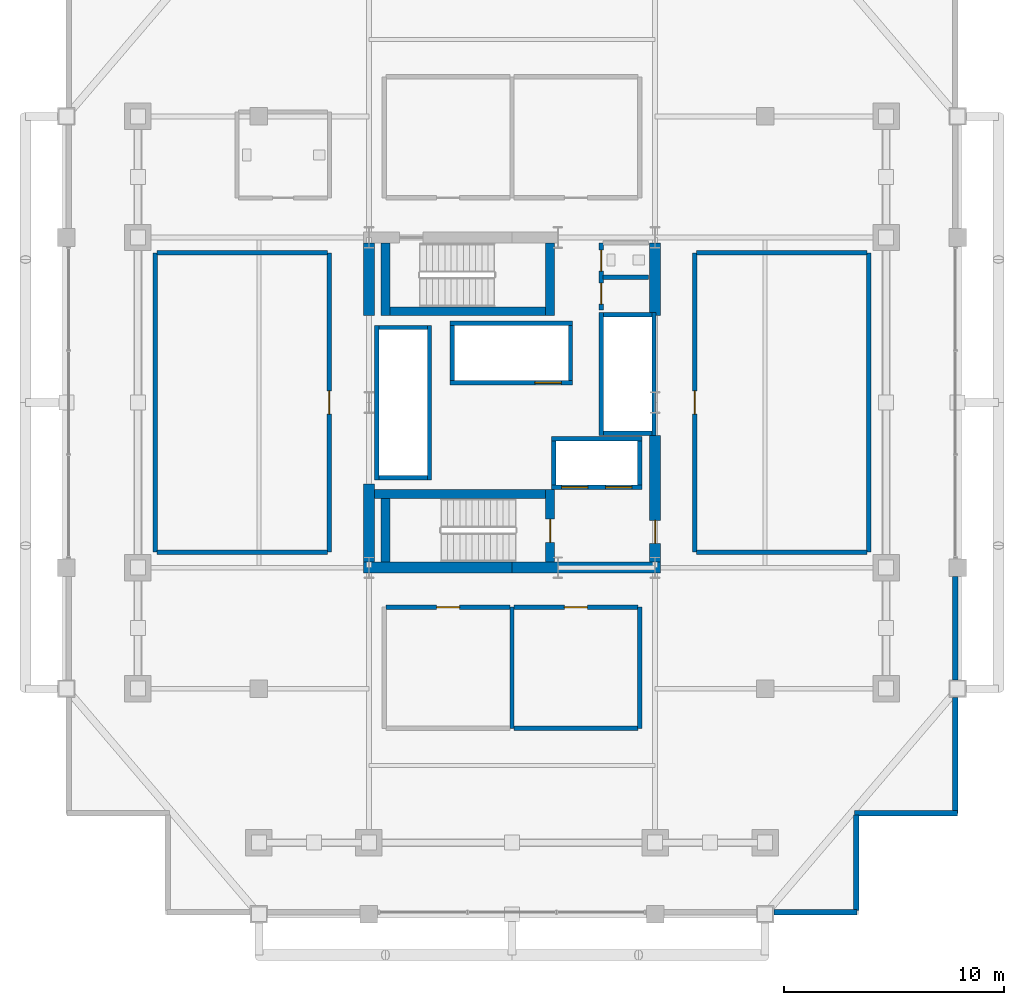
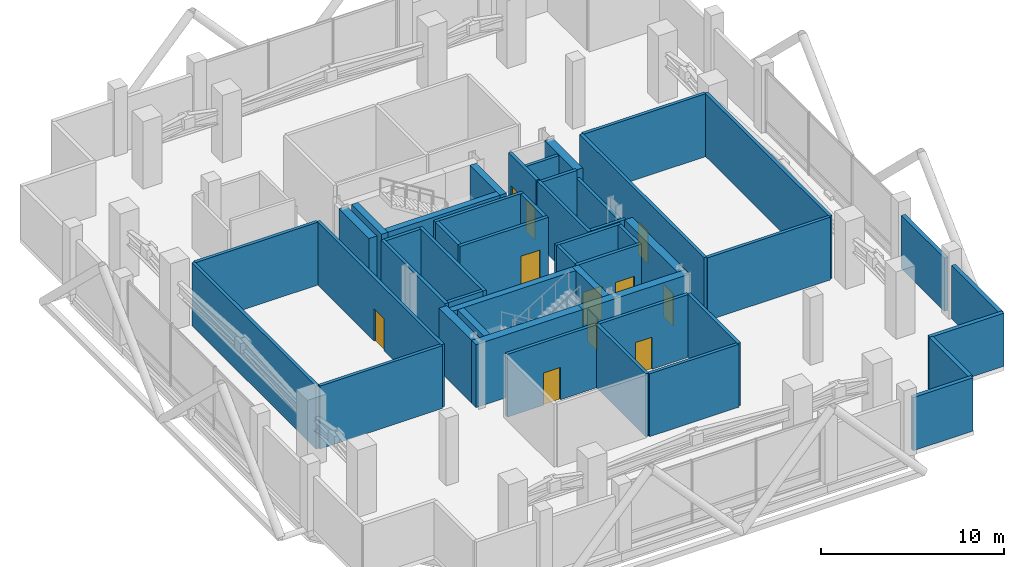
# One storey, part 19 of 22: 48 walls, 11 doors, 11 openings.
"""IFC4 building model written with IfcOpenShell, lengths in metres."""

from ifc_helpers import new_model, si_unit, direction, frame, frame_2d, origin, place, context, subcontext, project, spatial, rectangle, extrude, material, layer, layer_set, type_object, element, fill, save


model = new_model("IFC4")

# Units and contexts
model_context = context("Model", 3, precision=1e-05, world=origin(), true_north=direction((0.0, 1.0)))
body_context = subcontext(model_context, "Body", "Model", "MODEL_VIEW")
ifc_project = project(units=[si_unit("LENGTHUNIT", "METRE"), si_unit("AREAUNIT", "SQUARE_METRE"), si_unit("VOLUMEUNIT", "CUBIC_METRE"), si_unit("PLANEANGLEUNIT", "RADIAN"), si_unit("MASSUNIT", "GRAM", prefix="KILO")], contexts=[model_context])

# Site, building, storey
site_placement = place(None, origin())
site = spatial("IfcSite", under=ifc_project, at=site_placement, CompositionType="ELEMENT")
building_placement = place(site_placement, origin())
building = spatial("IfcBuilding", under=site, at=building_placement, Name="Barlavira Tower and Art Museum", CompositionType="ELEMENT")
storey_placement = place(building_placement, frame((0.0, 0.0, 120.60009765625)))
storey = spatial("IfcBuildingStorey", under=building, at=storey_placement, Name="L30", CompositionType="ELEMENT", Elevation=120.60009765625)

# Walls
ifc_material_1 = material(Name="Concrete C60", Category="concrete")
ifc_layer_1 = layer(ifc_material_1, 0.5, Name="Concrete C60")
ifc_layer_set_1 = layer_set([ifc_layer_1], Name="Concrete C60")
wall_type_1 = type_object("IfcWallType", Name="Core Structural Shear Wall 500 Concrete C60", PredefinedType="SHEAR", material=ifc_layer_set_1)
for number, where, z_axis, x_axis, name in (
    (1, (-6.75, -7.5, 0.0), (0.0, 0.0, 1.0), (1.0, 0.0, 0.0), "L30 Core Shear Wall CS-SW"),
    (2, (0.0, -7.5, 0.0), (0.0, 0.0, 1.0), (1.0, 0.0, 0.0), "L30 Core Shear Wall CS-SE"),
):
    element("IfcWall", number, at=place(storey_placement, frame(where, z_axis=z_axis, x_axis=x_axis)), inside=storey, type_object=wall_type_1, Name=name, PredefinedType="SHEAR", context=body_context, shape_type="SweptSolid", body=[
        extrude(rectangle(XDim=6.75, YDim=0.5, at=frame_2d((3.375, 0.0))), origin(), (0.0, 0.0, 1.0), 4.199951171875),
    ])
wall_1_placement = place(storey_placement, frame((-6.5, -7.25, 0.0), z_axis=(0.0, 0.0, 1.0), x_axis=(0.0, 1.0, 0.0)))
element("IfcWall", 3, at=wall_1_placement, inside=storey, type_object=wall_type_1, Name="L30 Core Shear Wall CS-W1", PredefinedType="SHEAR", context=body_context, shape_type="SweptSolid", body=[
    extrude(rectangle(XDim=3.550048828125, YDim=0.5, at=frame_2d((1.77490234375, 0.0))), origin(), (0.0, 0.0, 1.0), 4.199951171875),
])
wall_2_placement = place(storey_placement, frame((-6.5, 3.949951171875, 0.0), z_axis=(0.0, 0.0, 1.0), x_axis=(0.0, 1.0, 0.0)))
element("IfcWall", 4, at=wall_2_placement, inside=storey, type_object=wall_type_1, Name="L30 Core Shear Wall CS-W2", PredefinedType="SHEAR", context=body_context, shape_type="SweptSolid", body=[
    extrude(rectangle(XDim=3.300048828125, YDim=0.5, at=frame_2d((1.64990234375, 0.0))), origin(), (0.0, 0.0, 1.0), 4.199951171875),
])

# Wall, opening, door
wall_3_placement = place(storey_placement, frame((6.5, -7.25, 0.0), z_axis=(0.0, 0.0, 1.0), x_axis=(0.0, 1.0, 0.0)))
wall_3 = element("IfcWall", 5, at=wall_3_placement, inside=storey, type_object=wall_type_1, Name="L30 Core Shear Wall CS-E1", PredefinedType="SHEAR", context=body_context, shape_type="SweptSolid", body=[
    extrude(rectangle(XDim=5.75, YDim=0.5, at=frame_2d((2.875, 0.0))), origin(), (0.0, 0.0, 1.0), 4.199951171875),
])
opening_1_placement = place(wall_3_placement, frame((0.85009765625, 0.0, 0.0)))
opening_1 = element("IfcOpeningElement", 6, at=opening_1_placement, cuts=wall_3, Name="Opening FD-90", PredefinedType="OPENING", context=body_context, shape_type="SweptSolid", body=[
    extrude(rectangle(XDim=1.050048828125, YDim=2.14990234375, at=frame_2d((0.52490234375, 1.074951171875))), frame((0.0, 0.260009765625, 0.0), z_axis=(0.0, -1.0, 0.0), x_axis=(1.0, 0.0, 0.0)), (0.0, 0.0, 1.0), 0.52001953125),
])
ifc_material_2 = material(Name="Brushed stainless steel", Category="steel")
door_type_1 = type_object("IfcDoorType", Name="Stair and Refuge Fire Door 1050x2150 FD90S", OperationType="NOTDEFINED", PredefinedType="DOOR", material=ifc_material_2)
door_1_placement = place(opening_1_placement, origin())
door_1 = element("IfcDoor", 7, at=door_1_placement, inside=storey, type_object=door_type_1, Name="L30 Firefighting Lobby Entry Fire Door", OperationType="SINGLE_SWING_LEFT", OverallHeight=2.14990234375, OverallWidth=1.050048828125, PredefinedType="DOOR", context=body_context, shape_type="SweptSolid", body=[
    extrude(rectangle(XDim=1.050048828125, YDim=2.14990234375, at=frame_2d((0.52490234375, 1.074951171875))), frame((0.0, 0.02490234375, 0.0), z_axis=(0.0, -1.0, 0.0), x_axis=(1.0, 0.0, 0.0)), (0.0, 0.0, 1.0), 0.050048828125),
])
fill(opening_1, door_1)

# Walls
wall_4_placement = place(storey_placement, frame((6.5, 3.949951171875, 0.0), z_axis=(0.0, 0.0, 1.0), x_axis=(0.0, 1.0, 0.0)))
element("IfcWall", 8, at=wall_4_placement, inside=storey, type_object=wall_type_1, Name="L30 Core Shear Wall CS-E2", PredefinedType="SHEAR", context=body_context, shape_type="SweptSolid", body=[
    extrude(rectangle(XDim=3.300048828125, YDim=0.5, at=frame_2d((1.64990234375, 0.0))), origin(), (0.0, 0.0, 1.0), 4.199951171875),
])
ifc_material_3 = material(Name="Autoclaved aerated concrete masonry", Category="masonry")
ifc_layer_2 = layer(ifc_material_3, 0.199951171875, Name="Autoclaved aerated concrete masonry")
ifc_layer_set_2 = layer_set([ifc_layer_2], Name="Autoclaved aerated concrete masonry")
wall_type_2 = type_object("IfcWallType", Name="Fire Compartment and Shaft Wall 200", PredefinedType="SOLIDWALL", material=ifc_layer_set_2)
for number, where, z_axis, x_axis, name in (
    (9, (-3.75, -3.510009765625, 0.0), (0.0, 0.0, 1.0), (0.0, 1.0, 0.0), "L30 Low-Rise Lift Front Shaft Wall"),
    (10, (-6.14990234375, -3.510009765625, 0.0), (0.0, 0.0, 1.0), (0.0, 1.0, 0.0), "L30 Low-Rise Lift Back Shaft Wall"),
):
    element("IfcWall", number, at=place(storey_placement, frame(where, z_axis=z_axis, x_axis=x_axis)), inside=storey, type_object=wall_type_2, Name=name, PredefinedType="SOLIDWALL", context=body_context, shape_type="SweptSolid", body=[
        extrude(rectangle(XDim=7.02001953125, YDim=0.199951171875, at=frame_2d((3.510009765625, 0.0))), origin(), (0.0, 0.0, 1.0), 4.199951171875),
    ])
for number, where, z_axis, x_axis, name in (
    (11, (-6.050048828125, -3.409912109375, 0.0), (0.0, 0.0, 1.0), (1.0, 0.0, 0.0), "L30 Low-Rise Lift South Shaft Wall"),
    (12, (-6.050048828125, 3.409912109375, 0.0), (0.0, 0.0, 1.0), (1.0, 0.0, 0.0), "L30 Low-Rise Lift North Shaft Wall"),
):
    element("IfcWall", number, at=place(storey_placement, frame(where, z_axis=z_axis, x_axis=x_axis)), inside=storey, type_object=wall_type_2, Name=name, PredefinedType="SOLIDWALL", context=body_context, shape_type="SweptSolid", body=[
        extrude(rectangle(XDim=2.199951171875, YDim=0.199951171875, at=frame_2d((1.10009765625, 0.0))), origin(), (0.0, 0.0, 1.0), 4.199951171875),
    ])
wall_5_placement = place(storey_placement, frame((4.050048828125, -1.489990234375, 0.0), z_axis=(0.0, 0.0, 1.0), x_axis=(0.0, 1.0, 0.0)))
element("IfcWall", 13, at=wall_5_placement, inside=storey, type_object=wall_type_2, Name="L30 Mid-Rise Lift Front Shaft Wall", PredefinedType="SOLIDWALL", context=body_context, shape_type="SweptSolid", body=[
    extrude(rectangle(XDim=5.580078125, YDim=0.199951171875, at=frame_2d((2.7900390625, 0.0))), origin(), (0.0, 0.0, 1.0), 4.199951171875),
])
wall_6_placement = place(storey_placement, frame((6.449951171875, -1.489990234375, 0.0), z_axis=(0.0, 0.0, 1.0), x_axis=(0.0, 1.0, 0.0)))
element("IfcWall", 14, at=wall_6_placement, inside=storey, type_object=wall_type_2, Name="L30 Mid-Rise Lift Back Shaft Wall", PredefinedType="SOLIDWALL", context=body_context, shape_type="SweptSolid", body=[
    extrude(rectangle(XDim=5.580078125, YDim=0.199951171875, at=frame_2d((2.7900390625, 0.0))), origin(), (0.0, 0.0, 1.0), 3.635986328125),
])
for number, where, z_axis, x_axis, name in (
    (15, (4.14990234375, -1.389892578125, 0.0), (0.0, 0.0, 1.0), (1.0, 0.0, 0.0), "L30 Mid-Rise Lift South Shaft Wall"),
    (16, (4.14990234375, 3.989990234375, 0.0), (0.0, 0.0, 1.0), (1.0, 0.0, 0.0), "L30 Mid-Rise Lift North Shaft Wall"),
):
    element("IfcWall", number, at=place(storey_placement, frame(where, z_axis=z_axis, x_axis=x_axis)), inside=storey, type_object=wall_type_2, Name=name, PredefinedType="SOLIDWALL", context=body_context, shape_type="SweptSolid", body=[
        extrude(rectangle(XDim=2.2001953125, YDim=0.199951171875, at=frame_2d((1.10009765625, 0.0))), origin(), (0.0, 0.0, 1.0), 4.199951171875),
    ])

# Wall, opening, door
wall_7_placement = place(storey_placement, frame((-2.820068359375, 0.89990234375, 0.0), z_axis=(0.0, 0.0, 1.0), x_axis=(1.0, 0.0, 0.0)))
wall_7 = element("IfcWall", 17, at=wall_7_placement, inside=storey, type_object=wall_type_2, Name="L30 High-Rise & Service Lift Front Wall", PredefinedType="SOLIDWALL", context=body_context, shape_type="SweptSolid", body=[
    extrude(rectangle(XDim=5.580078125, YDim=0.199951171875, at=frame_2d((2.7900390625, 0.0))), origin(), (0.0, 0.0, 1.0), 4.199951171875),
])
opening_2_placement = place(wall_7_placement, frame((3.860107421875, 0.0, 0.0)))
opening_2 = element("IfcOpeningElement", 18, at=opening_2_placement, cuts=wall_7, Name="Opening LD-F", PredefinedType="OPENING", context=body_context, shape_type="SweptSolid", body=[
    extrude(rectangle(XDim=1.199951171875, YDim=2.199951171875, at=frame_2d((0.60009765625, 1.10009765625))), frame((0.0, 0.10986328125, 0.0), z_axis=(0.0, -1.0, 0.0), x_axis=(1.0, 0.0, 0.0)), (0.0, 0.0, 1.0), 0.219970703125),
])
door_type_2 = type_object("IfcDoorType", Name="Firefighting and Service Lift Sliding Door 1200x2200 FD120", OperationType="NOTDEFINED", PredefinedType="DOOR", material=ifc_material_2)
door_2_placement = place(opening_2_placement, origin())
door_2 = element("IfcDoor", 19, at=door_2_placement, inside=storey, type_object=door_type_2, Name="L30 Stretcher Service Lift SL1 Sliding Door", OperationType="DOUBLE_DOOR_SLIDING", OverallHeight=2.199951171875, OverallWidth=1.199951171875, PredefinedType="DOOR", context=body_context, shape_type="SweptSolid", body=[
    extrude(rectangle(XDim=1.199951171875, YDim=2.199951171875, at=frame_2d((0.60009765625, 1.10009765625))), frame((0.0, 0.02490234375, 0.0), z_axis=(0.0, -1.0, 0.0), x_axis=(1.0, 0.0, 0.0)), (0.0, 0.0, 1.0), 0.050048828125),
])
fill(opening_2, door_2)

# Walls
wall_8_placement = place(storey_placement, frame((-2.820068359375, 3.60009765625, 0.0), z_axis=(0.0, 0.0, 1.0), x_axis=(1.0, 0.0, 0.0)))
element("IfcWall", 20, at=wall_8_placement, inside=storey, type_object=wall_type_2, Name="L30 High-Rise & Service Lift Back Wall", PredefinedType="SOLIDWALL", context=body_context, shape_type="SweptSolid", body=[
    extrude(rectangle(XDim=5.580078125, YDim=0.199951171875, at=frame_2d((2.7900390625, 0.0))), origin(), (0.0, 0.0, 1.0), 4.199951171875),
])
for number, where, z_axis, x_axis, name in (
    (21, (-2.719970703125, 1.0, 0.0), (0.0, 0.0, 1.0), (0.0, 1.0, 0.0), "L30 High-Rise & Service Lift West Wall"),
    (22, (2.659912109375, 1.0, 0.0), (0.0, 0.0, 1.0), (0.0, 1.0, 0.0), "L30 High-Rise & Service Lift East Wall"),
):
    element("IfcWall", number, at=place(storey_placement, frame(where, z_axis=z_axis, x_axis=x_axis)), inside=storey, type_object=wall_type_2, Name=name, PredefinedType="SOLIDWALL", context=body_context, shape_type="SweptSolid", body=[
        extrude(rectangle(XDim=2.5, YDim=0.199951171875, at=frame_2d((1.25, 0.0))), origin(), (0.0, 0.0, 1.0), 4.199951171875),
    ])

# Wall, openings, doors
wall_9_placement = place(storey_placement, frame((1.800048828125, -3.85009765625, 0.0), z_axis=(0.0, 0.0, 1.0), x_axis=(1.0, 0.0, 0.0)))
wall_9 = element("IfcWall", 23, at=wall_9_placement, inside=storey, type_object=wall_type_2, Name="L30 Firefighting Lift Front Shaft Wall", PredefinedType="SOLIDWALL", context=body_context, shape_type="SweptSolid", body=[
    extrude(rectangle(XDim=4.099853515625, YDim=0.199951171875, at=frame_2d((2.0498046875, 0.0))), origin(), (0.0, 0.0, 1.0), 4.199951171875),
])
opening_3_placement = place(wall_9_placement, frame((0.449951171875, 0.0, 0.0)))
opening_3 = element("IfcOpeningElement", 24, at=opening_3_placement, cuts=wall_9, Name="Opening LD-F", PredefinedType="OPENING", context=body_context, shape_type="SweptSolid", body=[
    extrude(rectangle(XDim=1.199951171875, YDim=2.199951171875, at=frame_2d((0.60009765625, 1.10009765625))), frame((0.0, 0.10986328125, 0.0), z_axis=(0.0, -1.0, 0.0), x_axis=(1.0, 0.0, 0.0)), (0.0, 0.0, 1.0), 0.219970703125),
])
opening_4_placement = place(wall_9_placement, frame((2.449951171875, 0.0, 0.0)))
opening_4 = element("IfcOpeningElement", 25, at=opening_4_placement, cuts=wall_9, Name="Opening LD-F", PredefinedType="OPENING", context=body_context, shape_type="SweptSolid", body=[
    extrude(rectangle(XDim=1.199951171875, YDim=2.199951171875, at=frame_2d((0.60009765625, 1.10009765625))), frame((0.0, 0.10986328125, 0.0), z_axis=(0.0, -1.0, 0.0), x_axis=(1.0, 0.0, 0.0)), (0.0, 0.0, 1.0), 0.219970703125),
])
door_3_placement = place(opening_3_placement, origin())
door_3 = element("IfcDoor", 26, at=door_3_placement, inside=storey, type_object=door_type_2, Name="L30 Firefighting Lift FF1 Sliding Door", OperationType="DOUBLE_DOOR_SLIDING", OverallHeight=2.199951171875, OverallWidth=1.199951171875, PredefinedType="DOOR", context=body_context, shape_type="SweptSolid", body=[
    extrude(rectangle(XDim=1.199951171875, YDim=2.199951171875, at=frame_2d((0.60009765625, 1.10009765625))), frame((0.0, 0.02490234375, 0.0), z_axis=(0.0, -1.0, 0.0), x_axis=(1.0, 0.0, 0.0)), (0.0, 0.0, 1.0), 0.050048828125),
])
fill(opening_3, door_3)
door_4_placement = place(opening_4_placement, origin())
door_4 = element("IfcDoor", 27, at=door_4_placement, inside=storey, type_object=door_type_2, Name="L30 Firefighting Lift FF2 Sliding Door", OperationType="DOUBLE_DOOR_SLIDING", OverallHeight=2.199951171875, OverallWidth=1.199951171875, PredefinedType="DOOR", context=body_context, shape_type="SweptSolid", body=[
    extrude(rectangle(XDim=1.199951171875, YDim=2.199951171875, at=frame_2d((0.60009765625, 1.10009765625))), frame((0.0, 0.02490234375, 0.0), z_axis=(0.0, -1.0, 0.0), x_axis=(1.0, 0.0, 0.0)), (0.0, 0.0, 1.0), 0.050048828125),
])
fill(opening_4, door_4)

# Walls
wall_10_placement = place(storey_placement, frame((1.800048828125, -1.64990234375, 0.0), z_axis=(0.0, 0.0, 1.0), x_axis=(1.0, 0.0, 0.0)))
element("IfcWall", 28, at=wall_10_placement, inside=storey, type_object=wall_type_2, Name="L30 Firefighting Lift Back Shaft Wall", PredefinedType="SOLIDWALL", context=body_context, shape_type="SweptSolid", body=[
    extrude(rectangle(XDim=4.099853515625, YDim=0.199951171875, at=frame_2d((2.0498046875, 0.0))), origin(), (0.0, 0.0, 1.0), 4.199951171875),
])
for number, where, z_axis, x_axis, name in (
    (29, (1.89990234375, -3.75, 0.0), (0.0, 0.0, 1.0), (0.0, 1.0, 0.0), "L30 Firefighting Lift West Shaft Wall"),
    (30, (5.800048828125, -3.75, 0.0), (0.0, 0.0, 1.0), (0.0, 1.0, 0.0), "L30 Firefighting Lift East Shaft Wall"),
):
    element("IfcWall", number, at=place(storey_placement, frame(where, z_axis=z_axis, x_axis=x_axis)), inside=storey, type_object=wall_type_2, Name=name, PredefinedType="SOLIDWALL", context=body_context, shape_type="SweptSolid", body=[
        extrude(rectangle(XDim=2.0, YDim=0.199951171875, at=frame_2d((1.0, 0.0))), origin(), (0.0, 0.0, 1.0), 4.199951171875),
    ])
wall_11_placement = place(storey_placement, frame((-16.199951171875, -6.800048828125, 0.0), z_axis=(0.0, 0.0, 1.0), x_axis=(0.0, 1.0, 0.0)))
element("IfcWall", 31, at=wall_11_placement, inside=storey, type_object=wall_type_2, Name="L30 Partition Wall 1", PredefinedType="SOLIDWALL", context=body_context, shape_type="SweptSolid", body=[
    extrude(rectangle(XDim=13.60009765625, YDim=0.199951171875, at=frame_2d((6.800048828125, 0.0))), origin(), (0.0, 0.0, 1.0), 4.199951171875),
])

# Wall, opening, door
wall_12_placement = place(storey_placement, frame((-8.300048828125, -6.800048828125, 0.0), z_axis=(0.0, 0.0, 1.0), x_axis=(0.0, 1.0, 0.0)))
wall_12 = element("IfcWall", 32, at=wall_12_placement, inside=storey, type_object=wall_type_2, Name="L30 Partition Wall 3", PredefinedType="SOLIDWALL", context=body_context, shape_type="SweptSolid", body=[
    extrude(rectangle(XDim=13.60009765625, YDim=0.199951171875, at=frame_2d((6.800048828125, 0.0))), origin(), (0.0, 0.0, 1.0), 4.199951171875),
])
opening_5_placement = place(wall_12_placement, frame((6.27490234375, 0.0, 0.0)))
opening_5 = element("IfcOpeningElement", 33, at=opening_5_placement, cuts=wall_12, Name="Opening FD-90", PredefinedType="OPENING", context=body_context, shape_type="SweptSolid", body=[
    extrude(rectangle(XDim=1.050048828125, YDim=2.14990234375, at=frame_2d((0.52490234375, 1.074951171875))), frame((0.0, 0.10986328125, 0.0), z_axis=(0.0, -1.0, 0.0), x_axis=(1.0, 0.0, 0.0)), (0.0, 0.0, 1.0), 0.219970703125),
])
door_5_placement = place(opening_5_placement, origin())
door_5 = element("IfcDoor", 34, at=door_5_placement, inside=storey, type_object=door_type_1, Name="L30 West Pressurised Sky Refuge Area Door", OperationType="SINGLE_SWING_LEFT", OverallHeight=2.14990234375, OverallWidth=1.050048828125, PredefinedType="DOOR", context=body_context, shape_type="SweptSolid", body=[
    extrude(rectangle(XDim=1.050048828125, YDim=2.14990234375, at=frame_2d((0.52490234375, 1.074951171875))), frame((0.0, 0.02490234375, 0.0), z_axis=(0.0, -1.0, 0.0), x_axis=(1.0, 0.0, 0.0)), (0.0, 0.0, 1.0), 0.050048828125),
])
fill(opening_5, door_5)

# Wall
wall_13_placement = place(storey_placement, frame((0.0, -14.800048828125, 0.0), z_axis=(0.0, 0.0, 1.0), x_axis=(0.0, 1.0, 0.0)))
element("IfcWall", 35, at=wall_13_placement, inside=storey, type_object=wall_type_2, Name="L30 Partition Wall 7", PredefinedType="SOLIDWALL", context=body_context, shape_type="SweptSolid", body=[
    extrude(rectangle(XDim=5.5, YDim=0.199951171875, at=frame_2d((2.75, 0.0))), origin(), (0.0, 0.0, 1.0), 4.199951171875),
])

# Wall, openings, doors
wall_14_placement = place(storey_placement, frame((4.050048828125, 4.199951171875, 0.0), z_axis=(0.0, 0.0, 1.0), x_axis=(0.0, 1.0, 0.0)))
wall_14 = element("IfcWall", 36, at=wall_14_placement, inside=storey, type_object=wall_type_2, Name="L30 Partition Wall 9", PredefinedType="SOLIDWALL", context=body_context, shape_type="SweptSolid", body=[
    extrude(rectangle(XDim=3.050048828125, YDim=0.199951171875, at=frame_2d((1.52490234375, 0.0))), origin(), (0.0, 0.0, 1.0), 4.199951171875),
])
opening_6_placement = place(wall_14_placement, frame((0.27490234375, 0.0, 0.0)))
opening_6 = element("IfcOpeningElement", 37, at=opening_6_placement, cuts=wall_14, Name="Opening FD-60", PredefinedType="OPENING", context=body_context, shape_type="SweptSolid", body=[
    extrude(rectangle(XDim=0.949951171875, YDim=2.14990234375, at=frame_2d((0.47509765625, 1.074951171875))), frame((0.0, 0.10986328125, 0.0), z_axis=(0.0, -1.0, 0.0), x_axis=(1.0, 0.0, 0.0)), (0.0, 0.0, 1.0), 0.219970703125),
])
opening_7_placement = place(wall_14_placement, frame((1.77490234375, 0.0, 0.0)))
opening_7 = element("IfcOpeningElement", 38, at=opening_7_placement, cuts=wall_14, Name="Opening FD-60", PredefinedType="OPENING", context=body_context, shape_type="SweptSolid", body=[
    extrude(rectangle(XDim=0.949951171875, YDim=2.14990234375, at=frame_2d((0.47509765625, 1.074951171875))), frame((0.0, 0.10986328125, 0.0), z_axis=(0.0, -1.0, 0.0), x_axis=(1.0, 0.0, 0.0)), (0.0, 0.0, 1.0), 0.219970703125),
])
door_type_3 = type_object("IfcDoorType", Name="Apartment Entrance and Riser Fire Door 950x2150 FD60S", OperationType="NOTDEFINED", PredefinedType="DOOR", material=ifc_material_2)
door_6_placement = place(opening_6_placement, origin())
door_6 = element("IfcDoor", 39, at=door_6_placement, inside=storey, type_object=door_type_3, Name="Electrical Switchgear Room Door", OperationType="SINGLE_SWING_LEFT", OverallHeight=2.14990234375, OverallWidth=0.949951171875, PredefinedType="DOOR", context=body_context, shape_type="SweptSolid", body=[
    extrude(rectangle(XDim=0.949951171875, YDim=2.14990234375, at=frame_2d((0.47509765625, 1.074951171875))), frame((0.0, 0.02490234375, 0.0), z_axis=(0.0, -1.0, 0.0), x_axis=(1.0, 0.0, 0.0)), (0.0, 0.0, 1.0), 0.050048828125),
])
fill(opening_6, door_6)
door_7_placement = place(opening_7_placement, origin())
door_7 = element("IfcDoor", 40, at=door_7_placement, inside=storey, type_object=door_type_3, Name="Core Staff Toilet Door", OperationType="SINGLE_SWING_RIGHT", OverallHeight=2.14990234375, OverallWidth=0.949951171875, PredefinedType="DOOR", context=body_context, shape_type="SweptSolid", body=[
    extrude(rectangle(XDim=0.949951171875, YDim=2.14990234375, at=frame_2d((0.47509765625, 1.074951171875))), frame((0.0, 0.02490234375, 0.0), z_axis=(0.0, -1.0, 0.0), x_axis=(1.0, 0.0, 0.0)), (0.0, 0.0, 1.0), 0.050048828125),
])
fill(opening_7, door_7)

# Wall
wall_15_placement = place(storey_placement, frame((5.800048828125, -14.800048828125, 0.0), z_axis=(0.0, 0.0, 1.0), x_axis=(0.0, 1.0, 0.0)))
element("IfcWall", 41, at=wall_15_placement, inside=storey, type_object=wall_type_2, Name="L30 Partition Wall 10", PredefinedType="SOLIDWALL", context=body_context, shape_type="SweptSolid", body=[
    extrude(rectangle(XDim=5.5, YDim=0.199951171875, at=frame_2d((2.75, 0.0))), origin(), (0.0, 0.0, 1.0), 4.199951171875),
])

# Wall, opening, door
wall_16_placement = place(storey_placement, frame((8.300048828125, -6.800048828125, 0.0), z_axis=(0.0, 0.0, 1.0), x_axis=(0.0, 1.0, 0.0)))
wall_16 = element("IfcWall", 42, at=wall_16_placement, inside=storey, type_object=wall_type_2, Name="L30 Partition Wall 12", PredefinedType="SOLIDWALL", context=body_context, shape_type="SweptSolid", body=[
    extrude(rectangle(XDim=13.60009765625, YDim=0.199951171875, at=frame_2d((6.800048828125, 0.0))), origin(), (0.0, 0.0, 1.0), 4.199951171875),
])
opening_8_placement = place(wall_16_placement, frame((6.27490234375, 0.0, 0.0)))
opening_8 = element("IfcOpeningElement", 43, at=opening_8_placement, cuts=wall_16, Name="Opening FD-90", PredefinedType="OPENING", context=body_context, shape_type="SweptSolid", body=[
    extrude(rectangle(XDim=1.050048828125, YDim=2.14990234375, at=frame_2d((0.52490234375, 1.074951171875))), frame((0.0, 0.10986328125, 0.0), z_axis=(0.0, -1.0, 0.0), x_axis=(1.0, 0.0, 0.0)), (0.0, 0.0, 1.0), 0.219970703125),
])
door_8_placement = place(opening_8_placement, origin())
door_8 = element("IfcDoor", 44, at=door_8_placement, inside=storey, type_object=door_type_1, Name="L30 East Pressurised Sky Refuge Area Door", OperationType="SINGLE_SWING_RIGHT", OverallHeight=2.14990234375, OverallWidth=1.050048828125, PredefinedType="DOOR", context=body_context, shape_type="SweptSolid", body=[
    extrude(rectangle(XDim=1.050048828125, YDim=2.14990234375, at=frame_2d((0.52490234375, 1.074951171875))), frame((0.0, 0.02490234375, 0.0), z_axis=(0.0, -1.0, 0.0), x_axis=(1.0, 0.0, 0.0)), (0.0, 0.0, 1.0), 0.050048828125),
])
fill(opening_8, door_8)

# Walls
wall_17_placement = place(storey_placement, frame((16.199951171875, -6.800048828125, 0.0), z_axis=(0.0, 0.0, 1.0), x_axis=(0.0, 1.0, 0.0)))
element("IfcWall", 45, at=wall_17_placement, inside=storey, type_object=wall_type_2, Name="L30 Partition Wall 13", PredefinedType="SOLIDWALL", context=body_context, shape_type="SweptSolid", body=[
    extrude(rectangle(XDim=13.60009765625, YDim=0.199951171875, at=frame_2d((6.800048828125, 0.0))), origin(), (0.0, 0.0, 1.0), 4.199951171875),
])
wall_18_placement = place(storey_placement, frame((0.080078125, -14.800048828125, 0.0), z_axis=(0.0, 0.0, 1.0), x_axis=(1.0, 0.0, 0.0)))
element("IfcWall", 46, at=wall_18_placement, inside=storey, type_object=wall_type_2, Name="L30 Partition Wall 15", PredefinedType="SOLIDWALL", context=body_context, shape_type="SweptSolid", body=[
    extrude(rectangle(XDim=5.639892578125, YDim=0.199951171875, at=frame_2d((2.81982421875, 0.0))), origin(), (0.0, 0.0, 1.0), 4.199951171875),
])

# Wall, opening, door
wall_19_placement = place(storey_placement, frame((-5.719970703125, -9.300048828125, 0.0), z_axis=(0.0, 0.0, 1.0), x_axis=(1.0, 0.0, 0.0)))
wall_19 = element("IfcWall", 47, at=wall_19_placement, inside=storey, type_object=wall_type_2, Name="L30 Partition Wall 16", PredefinedType="SOLIDWALL", context=body_context, shape_type="SweptSolid", body=[
    extrude(rectangle(XDim=5.639892578125, YDim=0.199951171875, at=frame_2d((2.81982421875, 0.0))), origin(), (0.0, 0.0, 1.0), 4.199951171875),
])
opening_9_placement = place(wall_19_placement, frame((2.294921875, 0.0, 0.0)))
opening_9 = element("IfcOpeningElement", 48, at=opening_9_placement, cuts=wall_19, Name="Opening FD-90", PredefinedType="OPENING", context=body_context, shape_type="SweptSolid", body=[
    extrude(rectangle(XDim=1.050048828125, YDim=2.14990234375, at=frame_2d((0.52490234375, 1.074951171875))), frame((0.0, 0.10986328125, 0.0), z_axis=(0.0, -1.0, 0.0), x_axis=(1.0, 0.0, 0.0)), (0.0, 0.0, 1.0), 0.219970703125),
])
door_9_placement = place(opening_9_placement, origin())
door_9 = element("IfcDoor", 49, at=door_9_placement, inside=storey, type_object=door_type_1, Name="L30 Chiller and Heat-Rejection Plant Room Door", OperationType="SINGLE_SWING_LEFT", OverallHeight=2.14990234375, OverallWidth=1.050048828125, PredefinedType="DOOR", context=body_context, shape_type="SweptSolid", body=[
    extrude(rectangle(XDim=1.050048828125, YDim=2.14990234375, at=frame_2d((0.52490234375, 1.074951171875))), frame((0.0, 0.02490234375, 0.0), z_axis=(0.0, -1.0, 0.0), x_axis=(1.0, 0.0, 0.0)), (0.0, 0.0, 1.0), 0.050048828125),
])
fill(opening_9, door_9)

wall_20_placement = place(storey_placement, frame((0.080078125, -9.300048828125, 0.0), z_axis=(0.0, 0.0, 1.0), x_axis=(1.0, 0.0, 0.0)))
wall_20 = element("IfcWall", 50, at=wall_20_placement, inside=storey, type_object=wall_type_2, Name="L30 Partition Wall 17", PredefinedType="SOLIDWALL", context=body_context, shape_type="SweptSolid", body=[
    extrude(rectangle(XDim=5.639892578125, YDim=0.199951171875, at=frame_2d((2.81982421875, 0.0))), origin(), (0.0, 0.0, 1.0), 4.199951171875),
])
opening_10_placement = place(wall_20_placement, frame((2.294921875, 0.0, 0.0)))
opening_10 = element("IfcOpeningElement", 51, at=opening_10_placement, cuts=wall_20, Name="Opening FD-90", PredefinedType="OPENING", context=body_context, shape_type="SweptSolid", body=[
    extrude(rectangle(XDim=1.050048828125, YDim=2.14990234375, at=frame_2d((0.52490234375, 1.074951171875))), frame((0.0, 0.10986328125, 0.0), z_axis=(0.0, -1.0, 0.0), x_axis=(1.0, 0.0, 0.0)), (0.0, 0.0, 1.0), 0.219970703125),
])
door_10_placement = place(opening_10_placement, origin())
door_10 = element("IfcDoor", 52, at=door_10_placement, inside=storey, type_object=door_type_1, Name="L30 Air Handling and Smoke Ventilation Plant Room Door", OperationType="SINGLE_SWING_RIGHT", OverallHeight=2.14990234375, OverallWidth=1.050048828125, PredefinedType="DOOR", context=body_context, shape_type="SweptSolid", body=[
    extrude(rectangle(XDim=1.050048828125, YDim=2.14990234375, at=frame_2d((0.52490234375, 1.074951171875))), frame((0.0, 0.02490234375, 0.0), z_axis=(0.0, -1.0, 0.0), x_axis=(1.0, 0.0, 0.0)), (0.0, 0.0, 1.0), 0.050048828125),
])
fill(opening_10, door_10)

# Walls
for number, where, z_axis, x_axis, name in (
    (53, (-16.1201171875, -6.800048828125, 0.0), (0.0, 0.0, 1.0), (1.0, 0.0, 0.0), "L30 Partition Wall 18"),
    (54, (8.3798828125, -6.800048828125, 0.0), (0.0, 0.0, 1.0), (1.0, 0.0, 0.0), "L30 Partition Wall 19"),
):
    element("IfcWall", number, at=place(storey_placement, frame(where, z_axis=z_axis, x_axis=x_axis)), inside=storey, type_object=wall_type_2, Name=name, PredefinedType="SOLIDWALL", context=body_context, shape_type="SweptSolid", body=[
        extrude(rectangle(XDim=7.740234375, YDim=0.199951171875, at=frame_2d((3.8701171875, 0.0))), origin(), (0.0, 0.0, 1.0), 4.199951171875),
    ])
wall_21_placement = place(storey_placement, frame((4.1298828125, 5.699951171875, 0.0), z_axis=(0.0, 0.0, 1.0), x_axis=(1.0, 0.0, 0.0)))
element("IfcWall", 55, at=wall_21_placement, inside=storey, type_object=wall_type_2, Name="L30 Partition Wall 20", PredefinedType="SOLIDWALL", context=body_context, shape_type="SweptSolid", body=[
    extrude(rectangle(XDim=2.070068359375, YDim=0.199951171875, at=frame_2d((1.03515625, 0.0))), origin(), (0.0, 0.0, 1.0), 4.199951171875),
])
for number, where, z_axis, x_axis, name in (
    (56, (-16.1201171875, 6.800048828125, 0.0), (0.0, 0.0, 1.0), (1.0, 0.0, 0.0), "L30 Partition Wall 21"),
    (57, (8.3798828125, 6.800048828125, 0.0), (0.0, 0.0, 1.0), (1.0, 0.0, 0.0), "L30 Partition Wall 22"),
):
    element("IfcWall", number, at=place(storey_placement, frame(where, z_axis=z_axis, x_axis=x_axis)), inside=storey, type_object=wall_type_2, Name=name, PredefinedType="SOLIDWALL", context=body_context, shape_type="SweptSolid", body=[
        extrude(rectangle(XDim=7.740234375, YDim=0.199951171875, at=frame_2d((3.8701171875, 0.0))), origin(), (0.0, 0.0, 1.0), 4.199951171875),
    ])
ifc_material_4 = material(Name="Precast concrete C40", Category="concrete")
ifc_layer_3 = layer(ifc_material_4, 0.25, Name="Precast concrete C40")
ifc_layer_set_3 = layer_set([ifc_layer_3], Name="Precast concrete C40")
wall_type_3 = type_object("IfcWallType", Name="Notched Corner Spandrel Wall 250 Precast Concrete C40", PredefinedType="SOLIDWALL", material=ifc_layer_set_3)
wall_22_placement = place(storey_placement, frame((11.89501953125, -23.14990234375, 0.0), z_axis=(0.0, 0.0, 1.0), x_axis=(1.0, 0.0, 0.0)))
element("IfcWall", 58, at=wall_22_placement, inside=storey, type_object=wall_type_3, Name="L30 Coastal Facade Pier Wall CW2-L30-S-5", PredefinedType="SOLIDWALL", context=body_context, shape_type="SweptSolid", body=[
    extrude(rectangle(XDim=3.780029296875, YDim=0.25, at=frame_2d((1.89013671875, 0.0))), origin(), (0.0, 0.0, 1.0), 3.555908203125),
])
wall_23_placement = place(storey_placement, frame((20.14990234375, -18.675048828125, 0.0), z_axis=(0.0, 0.0, 1.0), x_axis=(0.0, 1.0, 0.0)))
element("IfcWall", 59, at=wall_23_placement, inside=storey, type_object=wall_type_3, Name="L30 Coastal Facade Pier Wall CW2-L30-E-1", PredefinedType="SOLIDWALL", context=body_context, shape_type="SweptSolid", body=[
    extrude(rectangle(XDim=5.280029296875, YDim=0.25, at=frame_2d((2.64013671875, 0.0))), origin(), (0.0, 0.0, 1.0), 3.555908203125),
])
wall_24_placement = place(storey_placement, frame((20.14990234375, -12.60498046875, 0.0), z_axis=(0.0, 0.0, 1.0), x_axis=(0.0, 1.0, 0.0)))
element("IfcWall", 60, at=wall_24_placement, inside=storey, type_object=wall_type_3, Name="L30 Coastal Facade Pier Wall CW2-L30-E-2", PredefinedType="SOLIDWALL", context=body_context, shape_type="SweptSolid", body=[
    extrude(rectangle(XDim=4.7099609375, YDim=0.25, at=frame_2d((2.35498046875, 0.0))), origin(), (0.0, 0.0, 1.0), 3.555908203125),
])
wall_25_placement = place(storey_placement, frame((15.64990234375, -23.070068359375, 0.0), z_axis=(0.0, 0.0, 1.0), x_axis=(0.0, 1.0, 0.0)))
element("IfcWall", 61, at=wall_25_placement, inside=storey, type_object=wall_type_3, Name="L30 Notch Corner Wall SE1", PredefinedType="SOLIDWALL", context=body_context, shape_type="SweptSolid", body=[
    extrude(rectangle(XDim=4.340087890625, YDim=0.25, at=frame_2d((2.169921875, 0.0))), origin(), (0.0, 0.0, 1.0), 3.555908203125),
])
wall_26_placement = place(storey_placement, frame((15.570068359375, -18.64990234375, 0.0), z_axis=(0.0, 0.0, 1.0), x_axis=(1.0, 0.0, 0.0)))
element("IfcWall", 62, at=wall_26_placement, inside=storey, type_object=wall_type_3, Name="L30 Notch Corner Wall SE2", PredefinedType="SOLIDWALL", context=body_context, shape_type="SweptSolid", body=[
    extrude(rectangle(XDim=4.659912109375, YDim=0.25, at=frame_2d((2.330078125, 0.0))), origin(), (0.0, 0.0, 1.0), 3.555908203125),
])
ifc_material_5 = material(Name="Concrete C55", Category="concrete")
ifc_layer_4 = layer(ifc_material_5, 0.39990234375, Name="Concrete C55")
ifc_layer_set_4 = layer_set([ifc_layer_4], Name="Concrete C55")
wall_type_4 = type_object("IfcWallType", Name="Upper Core Shear Wall 400 Concrete C55", PredefinedType="SHEAR", material=ifc_layer_set_4)
wall_27_placement = place(storey_placement, frame((-5.75, -7.25, 0.0), z_axis=(0.0, 0.0, 1.0), x_axis=(0.0, 1.0, 0.0)))
element("IfcWall", 63, at=wall_27_placement, inside=storey, type_object=wall_type_4, Name="L30 ST-T1 West Half-Landing Wall", PredefinedType="SHEAR", context=body_context, shape_type="SweptSolid", body=[
    extrude(rectangle(XDim=2.89990234375, YDim=0.39990234375, at=frame_2d((1.449951171875, 0.0))), origin(), (0.0, 0.0, 1.0), 4.199951171875),
])
wall_28_placement = place(storey_placement, frame((-6.25, -4.14990234375, 0.0), z_axis=(0.0, 0.0, 1.0), x_axis=(1.0, 0.0, 0.0)))
element("IfcWall", 64, at=wall_28_placement, inside=storey, type_object=wall_type_4, Name="L30 ST-T1 North Shaft Wall", PredefinedType="SHEAR", context=body_context, shape_type="SweptSolid", body=[
    extrude(rectangle(XDim=7.780029296875, YDim=0.39990234375, at=frame_2d((3.89013671875, 0.0))), origin(), (0.0, 0.0, 1.0), 4.199951171875),
])

# Wall, opening, door
wall_29_placement = place(storey_placement, frame((1.72998046875, -7.25, 0.0), z_axis=(0.0, 0.0, 1.0), x_axis=(0.0, 1.0, 0.0)))
wall_29 = element("IfcWall", 65, at=wall_29_placement, inside=storey, type_object=wall_type_4, Name="L30 ST-T1 East Landing Wall", PredefinedType="SHEAR", context=body_context, shape_type="SweptSolid", body=[
    extrude(rectangle(XDim=3.300048828125, YDim=0.39990234375, at=frame_2d((1.64990234375, 0.0))), origin(), (0.0, 0.0, 1.0), 4.199951171875),
])
opening_11_placement = place(wall_29_placement, frame((0.89990234375, 0.0, 0.0)))
opening_11 = element("IfcOpeningElement", 66, at=opening_11_placement, cuts=wall_29, Name="Opening FD-90", PredefinedType="OPENING", context=body_context, shape_type="SweptSolid", body=[
    extrude(rectangle(XDim=1.050048828125, YDim=2.14990234375, at=frame_2d((0.52490234375, 1.074951171875))), frame((0.0, 0.2099609375, 0.0), z_axis=(0.0, -1.0, 0.0), x_axis=(1.0, 0.0, 0.0)), (0.0, 0.0, 1.0), 0.419921875),
])
door_11_placement = place(opening_11_placement, origin())
door_11 = element("IfcDoor", 67, at=door_11_placement, inside=storey, type_object=door_type_1, Name="L30 Stair ST-T1 Fire Door", OperationType="SINGLE_SWING_RIGHT", OverallHeight=2.14990234375, OverallWidth=1.050048828125, PredefinedType="DOOR", context=body_context, shape_type="SweptSolid", body=[
    extrude(rectangle(XDim=1.050048828125, YDim=2.14990234375, at=frame_2d((0.52490234375, 1.074951171875))), frame((0.0, 0.02490234375, 0.0), z_axis=(0.0, -1.0, 0.0), x_axis=(1.0, 0.0, 0.0)), (0.0, 0.0, 1.0), 0.050048828125),
])
fill(opening_11, door_11)

# Walls
wall_30_placement = place(storey_placement, frame((-5.550048828125, 4.14990234375, 0.0), z_axis=(0.0, 0.0, 1.0), x_axis=(1.0, 0.0, 0.0)))
element("IfcWall", 68, at=wall_30_placement, inside=storey, type_object=wall_type_4, Name="L30 ST-T2 South Shaft Wall", PredefinedType="SHEAR", context=body_context, shape_type="SweptSolid", body=[
    extrude(rectangle(XDim=7.080078125, YDim=0.39990234375, at=frame_2d((3.5400390625, 0.0))), origin(), (0.0, 0.0, 1.0), 4.199951171875),
])
for number, where, z_axis, x_axis, name in (
    (69, (1.72998046875, 3.949951171875, 0.0), (0.0, 0.0, 1.0), (0.0, 1.0, 0.0), "L30 ST-T2 East Half-Landing Wall"),
    (70, (-5.75, 3.949951171875, 0.0), (0.0, 0.0, 1.0), (0.0, 1.0, 0.0), "L30 ST-T2 West Shaft Wall"),
):
    element("IfcWall", number, at=place(storey_placement, frame(where, z_axis=z_axis, x_axis=x_axis)), inside=storey, type_object=wall_type_4, Name=name, PredefinedType="SHEAR", context=body_context, shape_type="SweptSolid", body=[
        extrude(rectangle(XDim=3.300048828125, YDim=0.39990234375, at=frame_2d((1.64990234375, 0.0))), origin(), (0.0, 0.0, 1.0), 4.199951171875),
    ])

save(model, "model.ifc")
